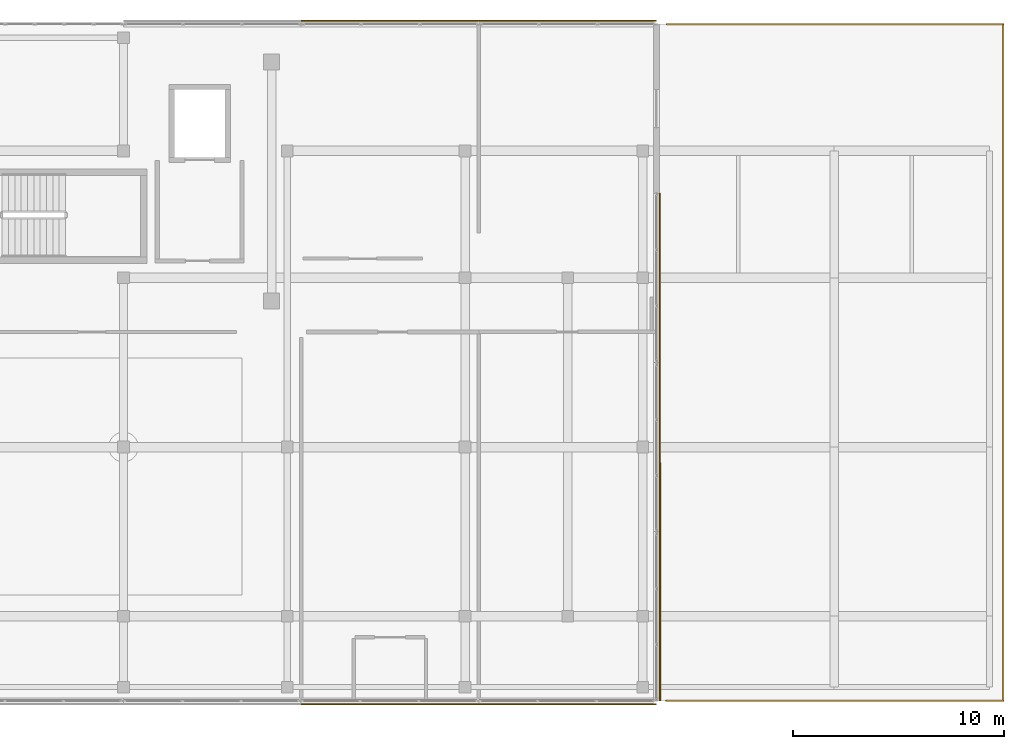
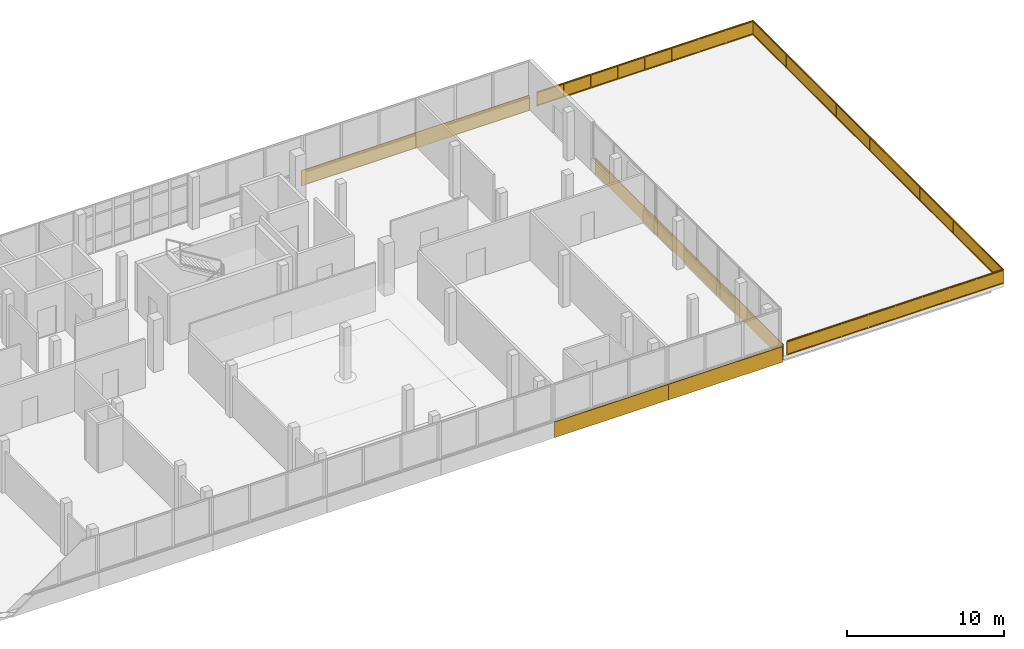
# One storey, part 66 of 66: 7 coverings, 2 railings.
"""IFC4 building model written with IfcOpenShell, lengths in metres."""

from ifc_helpers import new_model, si_unit, direction, frame, origin, origin_2d, place, context, subcontext, project, spatial, polyline, rectangle, outline, extrude, material, layer, layer_set, type_object, element, save


model = new_model("IFC4")

# Units and contexts
model_context = context("Model", 3, precision=1e-05, world=origin(), true_north=direction((0.0, 1.0)))
body_context = subcontext(model_context, "Body", "Model", "MODEL_VIEW")
ifc_project = project(units=[si_unit("LENGTHUNIT", "METRE"), si_unit("AREAUNIT", "SQUARE_METRE"), si_unit("VOLUMEUNIT", "CUBIC_METRE"), si_unit("PLANEANGLEUNIT", "RADIAN"), si_unit("MASSUNIT", "GRAM", prefix="KILO")], contexts=[model_context])

# Site, building, storey
site_placement = place(None, origin())
site = spatial("IfcSite", under=ifc_project, at=site_placement, CompositionType="ELEMENT")
building_placement = place(site_placement, origin())
building = spatial("IfcBuilding", under=site, at=building_placement, Name="Selatvlak General Hospital", CompositionType="ELEMENT")
storey_placement = place(building_placement, frame((0.0, 0.0, 31.35009765625)))
storey = spatial("IfcBuildingStorey", under=building, at=storey_placement, Name="L07", CompositionType="ELEMENT", Elevation=31.35009765625)

# Coverings
ifc_material_1 = material(Name="White Bauhaus fair-faced cladding panel")
ifc_layer = layer(ifc_material_1, 0.054931640625, Name="White Bauhaus fair-faced cladding panel")
ifc_layer_set = layer_set([ifc_layer], Name="White Bauhaus fair-faced cladding panel")
covering_type = type_object("IfcCoveringType", Name="COV-WHT1", PredefinedType="CLADDING", material=ifc_layer_set)
for number, where, z_axis, x_axis, name in (
    (1, (152.9990234375, 120.1650390625, -0.2802734375), (0.0, 0.0, 1.0), (1.0, 0.0, 0.0), "L07 Bauhaus horizontal white spandrel band 0512"),
    (2, (161.39892578125, 120.1650390625, -0.2802734375), (0.0, 0.0, 1.0), (1.0, 0.0, 0.0), "L07 Bauhaus horizontal white spandrel band 0513"),
):
    element("IfcCovering", number, at=place(storey_placement, frame(where, z_axis=z_axis, x_axis=x_axis)), inside=storey, type_object=covering_type, Name=name, PredefinedType="CLADDING", context=body_context, shape_type="SweptSolid", body=[
        extrude(rectangle(XDim=8.39990234375, YDim=0.054931640625, at=origin_2d()), origin(), (0.0, 0.0, 1.0), 1.219970703125),
    ])
covering_placement = place(storey_placement, frame((165.763916015625, 108.0009765625, -0.2802734375), z_axis=(0.0, 0.0, 1.0), x_axis=(0.0, -1.0, 0.0)))
element("IfcCovering", 3, at=covering_placement, inside=storey, type_object=covering_type, Name="L07 Bauhaus horizontal white spandrel band 0514", PredefinedType="CLADDING", context=body_context, shape_type="SweptSolid", body=[
    extrude(rectangle(XDim=7.9990234375, YDim=0.054931640625, at=origin_2d()), origin(), (0.0, 0.0, 1.0), 1.219970703125),
])
for number, where, z_axis, x_axis, name in (
    (4, (165.763916015625, 100.0009765625, -0.2802734375), (0.0, 0.0, 1.0), (0.000122173047, -0.999999992537, 0.0), "L07 Bauhaus horizontal white spandrel band 0515"),
    (5, (165.764892578125, 92.0009765625, -0.2802734375), (0.0, 0.0, 1.0), (0.0, -1.0, 0.0), "L07 Bauhaus horizontal white spandrel band 0516"),
):
    element("IfcCovering", number, at=place(storey_placement, frame(where, z_axis=z_axis, x_axis=x_axis)), inside=storey, type_object=covering_type, Name=name, PredefinedType="CLADDING", context=body_context, shape_type="SweptSolid", body=[
        extrude(rectangle(XDim=8.0, YDim=0.054931640625, at=origin_2d()), origin(), (0.0, 0.0, 1.0), 1.219970703125),
    ])
for number, where, z_axis, x_axis, name in (
    (6, (161.39990234375, 87.8359375, -0.2802734375), (0.0, 0.0, 1.0), (-1.0, 0.0, 0.0), "L07 Bauhaus horizontal white spandrel band 0517"),
    (7, (153.0, 87.8359375, -0.2802734375), (0.0, 0.0, 1.0), (-1.0, 0.0, 0.0), "L07 Bauhaus horizontal white spandrel band 0518"),
):
    element("IfcCovering", number, at=place(storey_placement, frame(where, z_axis=z_axis, x_axis=x_axis)), inside=storey, type_object=covering_type, Name=name, PredefinedType="CLADDING", context=body_context, shape_type="SweptSolid", body=[
        extrude(rectangle(XDim=8.39990234375, YDim=0.054931640625, at=origin_2d()), origin(), (0.0, 0.0, 1.0), 1.219970703125),
    ])

# Railings
ifc_material_2 = material(Name="Stainless steel 316 safety balustrade", Category="steel")
railing_type = type_object("IfcRailingType", Name="RAIL-BAL1", PredefinedType="BALUSTRADE", material=ifc_material_2)
railing_1_placement = place(storey_placement, frame((182.0, 120.0, 0.0)))
element("IfcRailing", 8, at=railing_1_placement, inside=storey, type_object=railing_type, Name="L07 continuous terrace guardrail 0035", PredefinedType="BALUSTRADE", context=body_context, shape_type="SweptSolid", body=[
    extrude(rectangle(XDim=0.068115234375, YDim=0.068115234375, at=origin_2d()), frame((0.0, -0.0029296875, 1.0859375), z_axis=(0.0, -1.0, 0.0), x_axis=(1.0, 0.0, 0.0)), (0.0, 0.0, 1.0), 31.994140625),
    extrude(rectangle(XDim=0.068115234375, YDim=0.068115234375, at=origin_2d()), frame((0.0, -0.0029296875, 0.049072265625), z_axis=(0.0, -1.0, 0.0), x_axis=(1.0, 0.0, 0.0)), (0.0, 0.0, 1.0), 31.994140625),
    extrude(outline(polyline([(0.0, 0.0), (31.988037109375, 0.0), (31.988037109375, 0.94189453125), (0.0, 0.94189453125), (0.0, 0.0)])), frame((0.01806640625, -0.006103515625, 0.0849609375), z_axis=(-1.0, 0.0, 0.0), x_axis=(0.0, -1.0, 0.0)), (0.0, 0.0, 1.0), 0.031982421875),
    extrude(rectangle(XDim=0.068115234375, YDim=0.068115234375, at=origin_2d()), frame((-0.0029296875, -32.0, 1.0859375), z_axis=(-1.0, 0.0, 0.0), x_axis=(0.0, -1.0, 0.0)), (0.0, 0.0, 1.0), 15.93505859375),
    extrude(rectangle(XDim=0.068115234375, YDim=0.068115234375, at=origin_2d()), frame((-0.0029296875, -32.0, 0.049072265625), z_axis=(-1.0, 0.0, 0.0), x_axis=(0.0, -1.0, 0.0)), (0.0, 0.0, 1.0), 15.93505859375),
    extrude(outline(polyline([(0.0, 0.0), (15.928955078125, 0.0), (15.928955078125, 0.94189453125), (0.0, 0.94189453125), (0.0, 0.0)])), frame((-0.006103515625, -32.01806640625, 0.0849609375), z_axis=(0.0, 1.0, 0.0), x_axis=(-1.0, 0.0, 0.0)), (0.0, 0.0, 1.0), 0.031982421875),
    extrude(rectangle(XDim=0.055908203125, YDim=0.055908203125, at=origin_2d()), origin(), (0.0, 0.0, 1.0), 1.049072265625),
    extrude(rectangle(XDim=0.055908203125, YDim=0.055908203125, at=origin_2d()), frame((0.0, -2.13330078125, 0.0)), (0.0, 0.0, 1.0), 1.049072265625),
    extrude(rectangle(XDim=0.055908203125, YDim=0.055908203125, at=origin_2d()), frame((0.0, -4.2666015625, 0.0)), (0.0, 0.0, 1.0), 1.049072265625),
    extrude(rectangle(XDim=0.055908203125, YDim=0.055908203125, at=origin_2d()), frame((0.0, -6.39990234375, 0.0)), (0.0, 0.0, 1.0), 1.049072265625),
    extrude(rectangle(XDim=0.055908203125, YDim=0.055908203125, at=origin_2d()), frame((0.0, -8.533447265625, 0.0)), (0.0, 0.0, 1.0), 1.049072265625),
    extrude(rectangle(XDim=0.055908203125, YDim=0.055908203125, at=origin_2d()), frame((0.0, -10.666748046875, 0.0)), (0.0, 0.0, 1.0), 1.049072265625),
    extrude(rectangle(XDim=0.055908203125, YDim=0.055908203125, at=origin_2d()), frame((0.0, -12.800048828125, 0.0)), (0.0, 0.0, 1.0), 1.049072265625),
    extrude(rectangle(XDim=0.055908203125, YDim=0.055908203125, at=origin_2d()), frame((0.0, -14.933349609375, 0.0)), (0.0, 0.0, 1.0), 1.049072265625),
    extrude(rectangle(XDim=0.055908203125, YDim=0.055908203125, at=origin_2d()), frame((0.0, -17.066650390625, 0.0)), (0.0, 0.0, 1.0), 1.049072265625),
    extrude(rectangle(XDim=0.055908203125, YDim=0.055908203125, at=origin_2d()), frame((0.0, -19.199951171875, 0.0)), (0.0, 0.0, 1.0), 1.049072265625),
    extrude(rectangle(XDim=0.055908203125, YDim=0.055908203125, at=origin_2d()), frame((0.0, -21.333251953125, 0.0)), (0.0, 0.0, 1.0), 1.049072265625),
    extrude(rectangle(XDim=0.055908203125, YDim=0.055908203125, at=origin_2d()), frame((0.0, -23.466552734375, 0.0)), (0.0, 0.0, 1.0), 1.049072265625),
    extrude(rectangle(XDim=0.055908203125, YDim=0.055908203125, at=origin_2d()), frame((0.0, -25.60009765625, 0.0)), (0.0, 0.0, 1.0), 1.049072265625),
    extrude(rectangle(XDim=0.055908203125, YDim=0.055908203125, at=origin_2d()), frame((0.0, -27.7333984375, 0.0)), (0.0, 0.0, 1.0), 1.049072265625),
    extrude(rectangle(XDim=0.055908203125, YDim=0.055908203125, at=origin_2d()), frame((0.0, -29.86669921875, 0.0)), (0.0, 0.0, 1.0), 1.049072265625),
    extrude(rectangle(XDim=0.055908203125, YDim=0.055908203125, at=origin_2d()), frame((0.0, -32.0, 0.0)), (0.0, 0.0, 1.0), 1.049072265625),
    extrude(rectangle(XDim=0.055908203125, YDim=0.055908203125, at=origin_2d()), frame((-1.99267578125, -32.0, 0.0)), (0.0, 0.0, 1.0), 1.049072265625),
    extrude(rectangle(XDim=0.055908203125, YDim=0.055908203125, at=origin_2d()), frame((-3.9853515625, -32.0, 0.0)), (0.0, 0.0, 1.0), 1.049072265625),
    extrude(rectangle(XDim=0.055908203125, YDim=0.055908203125, at=origin_2d()), frame((-5.977783203125, -32.0, 0.0)), (0.0, 0.0, 1.0), 1.049072265625),
    extrude(rectangle(XDim=0.055908203125, YDim=0.055908203125, at=origin_2d()), frame((-7.970458984375, -32.0, 0.0)), (0.0, 0.0, 1.0), 1.049072265625),
    extrude(rectangle(XDim=0.055908203125, YDim=0.055908203125, at=origin_2d()), frame((-9.963134765625, -32.0, 0.0)), (0.0, 0.0, 1.0), 1.049072265625),
    extrude(rectangle(XDim=0.055908203125, YDim=0.055908203125, at=origin_2d()), frame((-11.95556640625, -32.0, 0.0)), (0.0, 0.0, 1.0), 1.049072265625),
    extrude(rectangle(XDim=0.055908203125, YDim=0.055908203125, at=origin_2d()), frame((-13.9482421875, -32.0, 0.0)), (0.0, 0.0, 1.0), 1.049072265625),
    extrude(rectangle(XDim=0.055908203125, YDim=0.055908203125, at=origin_2d()), frame((-15.94091796875, -32.0, 0.0)), (0.0, 0.0, 1.0), 1.049072265625),
])
railing_2_placement = place(storey_placement, frame((166.0791015625, 120.0, 0.0)))
element("IfcRailing", 9, at=railing_2_placement, inside=storey, type_object=railing_type, Name="L07 continuous terrace guardrail 0036", PredefinedType="BALUSTRADE", context=body_context, shape_type="SweptSolid", body=[
    extrude(rectangle(XDim=0.068115234375, YDim=0.068115234375, at=origin_2d()), frame((0.0029296875, 0.0, 1.0859375), z_axis=(1.0, 0.0, 0.0), x_axis=(0.0, 1.0, 0.0)), (0.0, 0.0, 1.0), 15.9150390625),
    extrude(rectangle(XDim=0.068115234375, YDim=0.068115234375, at=origin_2d()), frame((0.0029296875, 0.0, 0.049072265625), z_axis=(1.0, 0.0, 0.0), x_axis=(0.0, 1.0, 0.0)), (0.0, 0.0, 1.0), 15.9150390625),
    extrude(outline(polyline([(0.0, 0.0), (15.908935546875, 0.0), (15.908935546875, 0.94189453125), (0.0, 0.94189453125), (0.0, 0.0)])), frame((0.006103515625, 0.01806640625, 0.0849609375), z_axis=(0.0, -1.0, 0.0), x_axis=(1.0, 0.0, 0.0)), (0.0, 0.0, 1.0), 0.031982421875),
    extrude(rectangle(XDim=0.055908203125, YDim=0.055908203125, at=origin_2d()), origin(), (0.0, 0.0, 1.0), 1.049072265625),
    extrude(rectangle(XDim=0.055908203125, YDim=0.055908203125, at=origin_2d()), frame((1.990234375, 0.0, 0.0)), (0.0, 0.0, 1.0), 1.049072265625),
    extrude(rectangle(XDim=0.055908203125, YDim=0.055908203125, at=origin_2d()), frame((3.980224609375, 0.0, 0.0)), (0.0, 0.0, 1.0), 1.049072265625),
    extrude(rectangle(XDim=0.055908203125, YDim=0.055908203125, at=origin_2d()), frame((5.97021484375, 0.0, 0.0)), (0.0, 0.0, 1.0), 1.049072265625),
    extrude(rectangle(XDim=0.055908203125, YDim=0.055908203125, at=origin_2d()), frame((7.96044921875, 0.0, 0.0)), (0.0, 0.0, 1.0), 1.049072265625),
    extrude(rectangle(XDim=0.055908203125, YDim=0.055908203125, at=origin_2d()), frame((9.95068359375, 0.0, 0.0)), (0.0, 0.0, 1.0), 1.049072265625),
    extrude(rectangle(XDim=0.055908203125, YDim=0.055908203125, at=origin_2d()), frame((11.940673828125, 0.0, 0.0)), (0.0, 0.0, 1.0), 1.049072265625),
    extrude(rectangle(XDim=0.055908203125, YDim=0.055908203125, at=origin_2d()), frame((13.9306640625, 0.0, 0.0)), (0.0, 0.0, 1.0), 1.049072265625),
    extrude(rectangle(XDim=0.055908203125, YDim=0.055908203125, at=origin_2d()), frame((15.9208984375, 0.0, 0.0)), (0.0, 0.0, 1.0), 1.049072265625),
])

save(model, "model.ifc")
